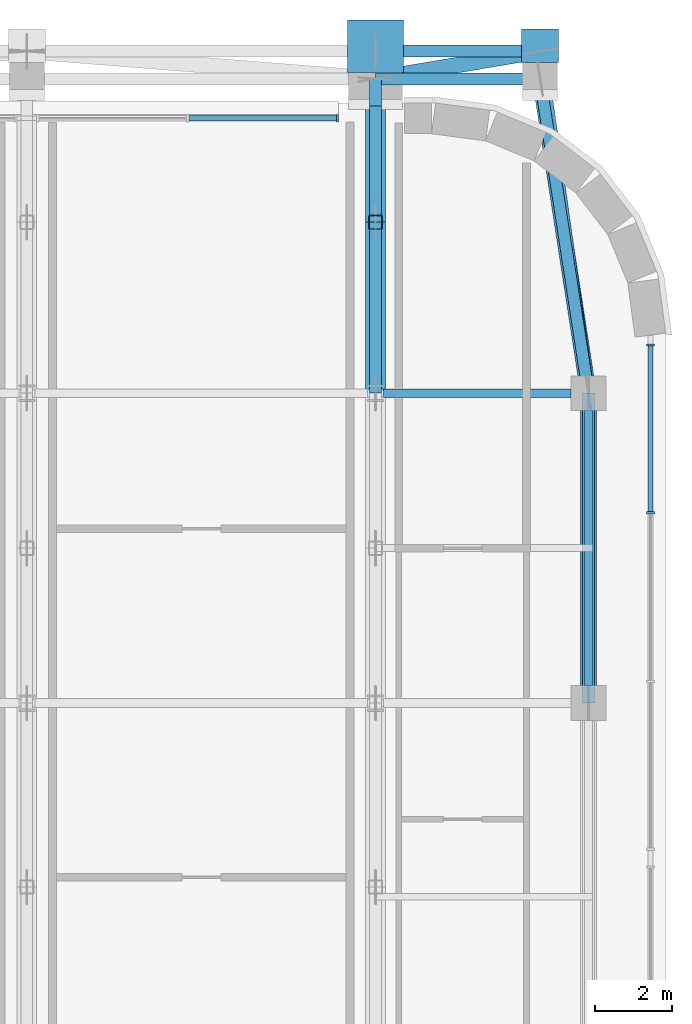
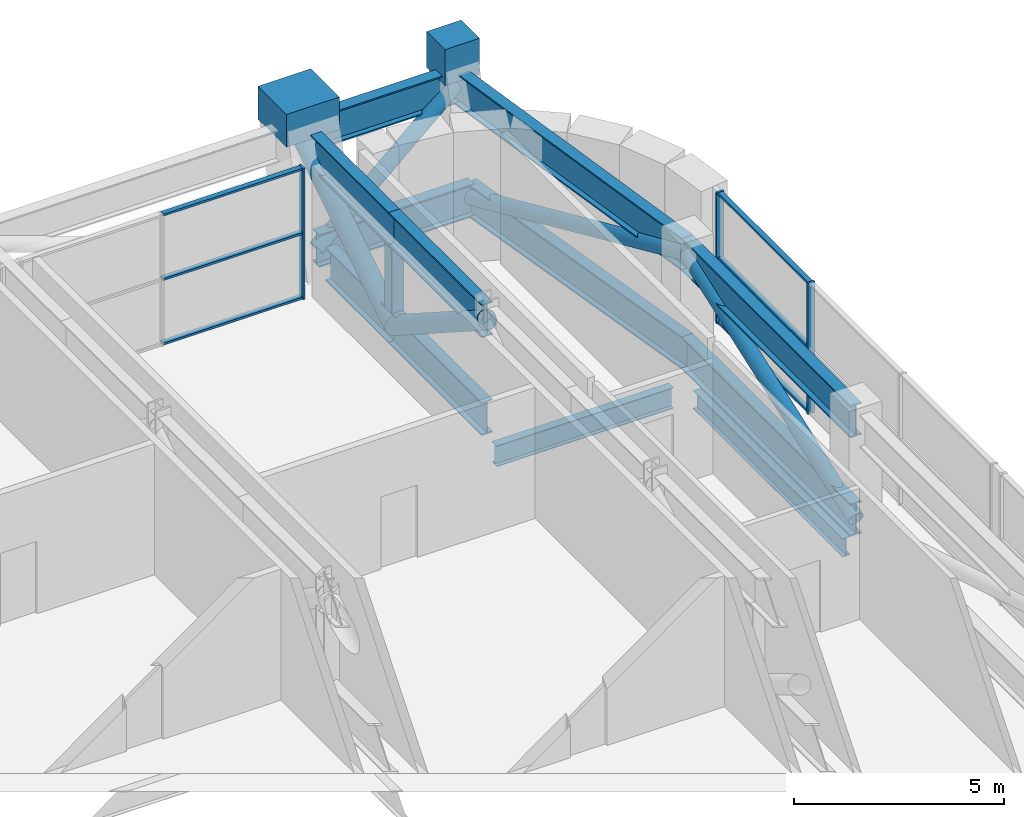
# One storey, part 12 of 26: 25 members, 4 beams, 2 elements without a shape of their own.
"""IFC4 building model written with IfcOpenShell, lengths in metres."""

from ifc_helpers import new_model, si_unit, direction, frame, origin, origin_2d, place, context, subcontext, project, spatial, rectangle, hollow_rectangle, hollow_circle, i_section, extrude, material, material_profile, profile_set, type_object, element, aggregate, save


model = new_model("IFC4")

# Units and contexts
model_context = context("Model", 3, precision=1e-05, world=origin(), true_north=direction((0.0, 1.0)))
body_context = subcontext(model_context, "Body", "Model", "MODEL_VIEW")
ifc_project = project(units=[si_unit("LENGTHUNIT", "METRE"), si_unit("AREAUNIT", "SQUARE_METRE"), si_unit("VOLUMEUNIT", "CUBIC_METRE"), si_unit("PLANEANGLEUNIT", "RADIAN"), si_unit("MASSUNIT", "GRAM", prefix="KILO")], contexts=[model_context])

# Site, building, storey
site_placement = place(None, origin())
site = spatial("IfcSite", under=ifc_project, at=site_placement, CompositionType="ELEMENT")
building_placement = place(site_placement, origin())
building = spatial("IfcBuilding", under=site, at=building_placement, Name="Zellij Exchange Tower", CompositionType="ELEMENT")
storey_placement = place(building_placement, frame((0.0, 0.0, 216.5)))
storey = spatial("IfcBuildingStorey", under=building, at=storey_placement, Name="L50", CompositionType="ELEMENT", Elevation=216.5)

# Curtain wall, members
ifc_material_1 = material(Name="Aluminium frame, clear insulating glass", Category="aluminium")
curtain_wall_type = type_object("IfcCurtainWallType", Name="ENV-CW2 Outrigger-storey glazing", PredefinedType="NOTDEFINED", material=ifc_material_1)
curtain_wall_1_placement = place(storey_placement, origin())
curtain_wall_1 = element("IfcCurtainWall", 1, at=curtain_wall_1_placement, inside=storey, type_object=curtain_wall_type, Name="cw.L50.07b", PredefinedType="NOTDEFINED")
ifc_material_2 = material(Name="Aluminium", Category="aluminium")
ifc_material_profile_1 = material_profile(ifc_material_2, rectangle(XDim=0.06005859375, YDim=0.199951171875, at=origin_2d()), Name="AL 60x200")
ifc_profile_set_1 = profile_set([ifc_material_profile_1], Name="Aluminium")
member_type_1 = type_object("IfcMemberType", Name="ENV-CW2M Mullion 60x200", PredefinedType="MULLION", material=ifc_profile_set_1)
member_1_placement = place(storey_placement, frame((34.10009765625, 18.91455078125, 0.0), z_axis=(0.0, 0.0, 1.0), x_axis=(0.0, 1.0, 0.0)))
member_1 = element("IfcMember", 2, at=member_1_placement, type_object=member_type_1, Name="CW2 mullion 3", PredefinedType="MULLION", context=body_context, shape_type="SweptSolid", body=[
    extrude(rectangle(XDim=0.06005859375, YDim=0.199951171875, at=origin_2d()), origin(), (0.0, 0.0, 1.0), 3.800048828125),
])
member_2_placement = place(storey_placement, frame((34.10009765625, 23.243896484375, 0.0), z_axis=(0.0, 0.0, 1.0), x_axis=(0.0, 1.0, 0.0)))
member_2 = element("IfcMember", 3, at=member_2_placement, type_object=member_type_1, Name="CW2 mullion 4", PredefinedType="MULLION", context=body_context, shape_type="SweptSolid", body=[
    extrude(rectangle(XDim=0.06005859375, YDim=0.199951171875, at=origin_2d()), origin(), (0.0, 0.0, 1.0), 3.800048828125),
])

# Curtain wall, member
curtain_wall_2_placement = place(storey_placement, origin())
curtain_wall_2 = element("IfcCurtainWall", 4, at=curtain_wall_2_placement, inside=storey, type_object=curtain_wall_type, Name="cw.L50.14b.a", PredefinedType="NOTDEFINED")
member_3_placement = place(storey_placement, frame((26.02001953125, 29.10009765625, 0.0), z_axis=(0.0, 0.0, 1.0), x_axis=(-1.0, 0.0, 0.0)))
member_3 = element("IfcMember", 5, at=member_3_placement, type_object=member_type_1, Name="CW2 mullion 1", PredefinedType="MULLION", context=body_context, shape_type="SweptSolid", body=[
    extrude(rectangle(XDim=0.06005859375, YDim=0.199951171875, at=origin_2d()), origin(), (0.0, 0.0, 1.0), 3.800048828125),
])

# Member
ifc_material_profile_2 = material_profile(ifc_material_2, rectangle(XDim=0.139892578125, YDim=0.06005859375, at=origin_2d()), Name="AL 140x60")
ifc_profile_set_2 = profile_set([ifc_material_profile_2], Name="Aluminium")
member_type_2 = type_object("IfcMemberType", Name="ENV-CW2T Transom 140x60", PredefinedType="USERDEFINED", material=ifc_profile_set_2)
member_4_placement = place(storey_placement, frame((34.10009765625, 18.944580078125, 0.030029296875), z_axis=(0.0, 1.0, 0.0), x_axis=(-1.0, 0.0, 0.0)))
member_4 = element("IfcMember", 6, at=member_4_placement, type_object=member_type_2, Name="CW2 transom 3.1", ObjectType="TRANSOM", PredefinedType="USERDEFINED", context=body_context, shape_type="SweptSolid", body=[
    extrude(rectangle(XDim=0.139892578125, YDim=0.06005859375, at=origin_2d()), origin(), (0.0, 0.0, 1.0), 4.269287109375),
])

member_5_placement = place(storey_placement, frame((34.10009765625, 18.944580078125, 1.89990234375), z_axis=(0.0, 1.0, 0.0), x_axis=(-1.0, 0.0, 0.0)))
member_5 = element("IfcMember", 7, at=member_5_placement, type_object=member_type_2, Name="CW2 transom 3.2", ObjectType="TRANSOM", PredefinedType="USERDEFINED", context=body_context, shape_type="SweptSolid", body=[
    extrude(rectangle(XDim=0.139892578125, YDim=0.06005859375, at=origin_2d()), origin(), (0.0, 0.0, 1.0), 4.269287109375),
])

member_6_placement = place(storey_placement, frame((34.10009765625, 18.944580078125, 3.77001953125), z_axis=(0.0, 1.0, 0.0), x_axis=(-1.0, 0.0, 0.0)))
member_6 = element("IfcMember", 8, at=member_6_placement, type_object=member_type_2, Name="CW2 transom 3.3", ObjectType="TRANSOM", PredefinedType="USERDEFINED", context=body_context, shape_type="SweptSolid", body=[
    extrude(rectangle(XDim=0.139892578125, YDim=0.06005859375, at=origin_2d()), origin(), (0.0, 0.0, 1.0), 4.269287109375),
])

aggregate(curtain_wall_1, [member_1, member_2, member_4, member_5, member_6])

member_7_placement = place(storey_placement, frame((25.989990234375, 29.10009765625, 0.030029296875), z_axis=(-1.0, 0.0, 0.0), x_axis=(0.0, -1.0, 0.0)))
member_7 = element("IfcMember", 9, at=member_7_placement, type_object=member_type_2, Name="CW2 transom 1.1", ObjectType="TRANSOM", PredefinedType="USERDEFINED", context=body_context, shape_type="SweptSolid", body=[
    extrude(rectangle(XDim=0.139892578125, YDim=0.06005859375, at=origin_2d()), origin(), (0.0, 0.0, 1.0), 3.81005859375),
])

member_8_placement = place(storey_placement, frame((25.989990234375, 29.10009765625, 1.89990234375), z_axis=(-1.0, 0.0, 0.0), x_axis=(0.0, -1.0, 0.0)))
member_8 = element("IfcMember", 10, at=member_8_placement, type_object=member_type_2, Name="CW2 transom 1.2", ObjectType="TRANSOM", PredefinedType="USERDEFINED", context=body_context, shape_type="SweptSolid", body=[
    extrude(rectangle(XDim=0.139892578125, YDim=0.06005859375, at=origin_2d()), origin(), (0.0, 0.0, 1.0), 3.81005859375),
])

member_9_placement = place(storey_placement, frame((25.989990234375, 29.10009765625, 3.77001953125), z_axis=(-1.0, 0.0, 0.0), x_axis=(0.0, -1.0, 0.0)))
member_9 = element("IfcMember", 11, at=member_9_placement, type_object=member_type_2, Name="CW2 transom 1.3", ObjectType="TRANSOM", PredefinedType="USERDEFINED", context=body_context, shape_type="SweptSolid", body=[
    extrude(rectangle(XDim=0.139892578125, YDim=0.06005859375, at=origin_2d()), origin(), (0.0, 0.0, 1.0), 3.81005859375),
])

aggregate(curtain_wall_2, [member_3, member_7, member_8, member_9])

# Members
ifc_material_3 = material(Name="Structural steel ASTM A992 Gr 50", Category="steel")
ifc_material_profile_3 = material_profile(ifc_material_3, i_section(OverallWidth=0.307373046875, OverallDepth=0.9423828125, WebThickness=0.022216796875, FlangeThickness=0.039794921875, at=origin_2d()), Name="W36x232")
ifc_profile_set_3 = profile_set([ifc_material_profile_3], Name="Structural steel ASTM A992 Gr 50")
member_type_3 = type_object("IfcMemberType", Name="STR-BELT TRUSS CHORD W36x232", PredefinedType="CHORD", material=ifc_profile_set_3)
for number, where, z_axis, x_axis, name in (
    (12, (32.5, 14.0, 0.47119140625), (0.0, 1.0, 0.0), (-1.0, 0.0, 0.0), "BT1"),
    (13, (32.5, 14.0, 3.328857421875), (0.0, 1.0, 0.0), (-1.0, 0.0, 0.0), "BT1"),
):
    element("IfcMember", number, at=place(storey_placement, frame(where, z_axis=z_axis, x_axis=x_axis)), inside=storey, type_object=member_type_3, Name=name, PredefinedType="CHORD", context=body_context, shape_type="SweptSolid", body=[
        extrude(i_section(OverallWidth=0.307373046875, OverallDepth=0.9423828125, WebThickness=0.022216796875, FlangeThickness=0.039794921875, at=origin_2d()), origin(), (0.0, 0.0, 1.0), 8.0),
    ])
member_10_placement = place(storey_placement, frame((32.5, 22.0, 0.47119140625), z_axis=(-0.152186731353, 0.988351758637, 0.0), x_axis=(-0.988351758637, -0.152186731353, 0.0)))
element("IfcMember", 14, at=member_10_placement, inside=storey, type_object=member_type_3, Name="BT1", PredefinedType="CHORD", context=body_context, shape_type="SweptSolid", body=[
    extrude(i_section(OverallWidth=0.307373046875, OverallDepth=0.9423828125, WebThickness=0.022216796875, FlangeThickness=0.039794921875, at=origin_2d()), origin(), (0.0, 0.0, 1.0), 8.213623046875),
])
member_11_placement = place(storey_placement, frame((32.5, 22.0, 3.328857421875), z_axis=(-0.14012996024, 0.990133119456, 0.0), x_axis=(-0.990133119456, -0.14012996024, 0.0)))
element("IfcMember", 15, at=member_11_placement, inside=storey, type_object=member_type_3, Name="BT1", PredefinedType="CHORD", context=body_context, shape_type="SweptSolid", body=[
    extrude(i_section(OverallWidth=0.307373046875, OverallDepth=0.9423828125, WebThickness=0.022216796875, FlangeThickness=0.039794921875, at=origin_2d()), origin(), (0.0, 0.0, 1.0), 8.92041015625),
])
for number, where, z_axis, x_axis, name in (
    (16, (27.0, 30.117919921875, 0.47119140625), (1.0, 0.0, 0.0), (0.0, 1.0, 0.0), "BT1"),
    (17, (27.0, 30.832275390625, 3.328857421875), (1.0, 0.0, 0.0), (0.0, 1.0, 0.0), "BT1"),
):
    element("IfcMember", number, at=place(storey_placement, frame(where, z_axis=z_axis, x_axis=x_axis)), inside=storey, type_object=member_type_3, Name=name, PredefinedType="CHORD", context=body_context, shape_type="SweptSolid", body=[
        extrude(i_section(OverallWidth=0.307373046875, OverallDepth=0.9423828125, WebThickness=0.022216796875, FlangeThickness=0.039794921875, at=origin_2d()), origin(), (0.0, 0.0, 1.0), 4.25),
    ])
ifc_material_4 = material(Name="Structural steel ASTM A500 Gr C", Category="steel")
ifc_material_profile_4 = material_profile(ifc_material_4, hollow_circle(Radius=0.203125, WallThickness=0.01171875, at=origin_2d()), Name="STR-BELT TRUSS DIAGONAL HSS16.000x0.500")
ifc_profile_set_4 = profile_set([ifc_material_profile_4], Name="Structural steel ASTM A500 Gr C")
member_type_4 = type_object("IfcMemberType", Name="STR-BELT TRUSS DIAGONAL HSS16.000x0.500", PredefinedType="BRACE", material=ifc_profile_set_4)
member_12_placement = place(storey_placement, frame((32.5, 14.0, 0.47119140625), z_axis=(0.0, 0.941722403843, 0.336391013702), x_axis=(-1.0, 0.0, 0.0)))
element("IfcMember", 18, at=member_12_placement, inside=storey, type_object=member_type_4, Name="BT2", PredefinedType="BRACE", context=body_context, shape_type="SweptSolid", body=[
    extrude(hollow_circle(Radius=0.203125, WallThickness=0.01171875, at=origin_2d()), origin(), (0.0, 0.0, 1.0), 8.4951171875),
])
member_13_placement = place(storey_placement, frame((32.5, 22.0, 3.328857421875), z_axis=(-0.143735732339, 0.933468132031, -0.328598974028), x_axis=(-0.988351758637, -0.152186731353, 0.0)))
element("IfcMember", 19, at=member_13_placement, inside=storey, type_object=member_type_4, Name="BT2", PredefinedType="BRACE", context=body_context, shape_type="SweptSolid", body=[
    extrude(hollow_circle(Radius=0.203125, WallThickness=0.01171875, at=origin_2d()), origin(), (0.0, 0.0, 1.0), 8.696533203125),
])
member_14_placement = place(storey_placement, frame((27.0, 30.117919921875, 0.47119140625), z_axis=(0.821894117254, 0.138146954681, 0.55263503231), x_axis=(-0.165758435529, 0.986166386089, 0.0)))
element("IfcMember", 20, at=member_14_placement, inside=storey, type_object=member_type_4, Name="BT2", PredefinedType="BRACE", context=body_context, shape_type="SweptSolid", body=[
    extrude(hollow_circle(Radius=0.203125, WallThickness=0.01171875, at=origin_2d()), origin(), (0.0, 0.0, 1.0), 5.1708984375),
])

# Beams
ifc_material_profile_5 = material_profile(ifc_material_3, i_section(OverallWidth=0.209228515625, OverallDepth=0.533447265625, WebThickness=0.01025390625, FlangeThickness=0.015625, at=origin_2d()), Name="W21x62")
ifc_profile_set_5 = profile_set([ifc_material_profile_5], Name="Structural steel ASTM A992 Gr 50")
beam_type_1 = type_object("IfcBeamType", Name="STR-EDGE GIRDER W21x62", PredefinedType="BEAM", material=ifc_profile_set_5)
beam_1_placement = place(storey_placement, frame((32.5, 14.449951171875, -0.61669921875), z_axis=(0.0, 1.0, 0.0), x_axis=(-1.0, 0.0, 0.0)))
element("IfcBeam", 21, at=beam_1_placement, inside=storey, type_object=beam_type_1, Name="EB3", PredefinedType="BEAM", context=body_context, shape_type="SweptSolid", body=[
    extrude(i_section(OverallWidth=0.209228515625, OverallDepth=0.533447265625, WebThickness=0.01025390625, FlangeThickness=0.015625, at=origin_2d()), origin(), (0.0, 0.0, 1.0), 7.10009765625),
])
ifc_material_profile_6 = material_profile(ifc_material_3, i_section(OverallWidth=0.228271484375, OverallDepth=0.607177734375, WebThickness=0.01123046875, FlangeThickness=0.017333984375, at=origin_2d()), Name="W24x76")
ifc_profile_set_6 = profile_set([ifc_material_profile_6], Name="Structural steel ASTM A992 Gr 50")
beam_type_2 = type_object("IfcBeamType", Name="STR-GIRDER W24x76", PredefinedType="BEAM", material=ifc_profile_set_6)
beam_2_placement = place(storey_placement, frame((27.20458984375, 22.0, -0.653564453125), z_axis=(1.0, 0.0, 0.0), x_axis=(0.0, 1.0, 0.0)))
element("IfcBeam", 22, at=beam_2_placement, inside=storey, type_object=beam_type_2, Name="G2", PredefinedType="BEAM", context=body_context, shape_type="SweptSolid", body=[
    extrude(i_section(OverallWidth=0.228271484375, OverallDepth=0.607177734375, WebThickness=0.01123046875, FlangeThickness=0.017333984375, at=origin_2d()), origin(), (0.0, 0.0, 1.0), 4.845458984375),
])
ifc_material_5 = material(Name="Concrete C60/75", Category="concrete")
ifc_material_profile_7 = material_profile(ifc_material_5, rectangle(XDim=1.449951171875, YDim=0.949951171875, at=origin_2d()), Name="STR-KNUCKLE BLOCK RC1450x950 C60/75")
ifc_profile_set_7 = profile_set([ifc_material_profile_7], Name="Concrete C60/75")
beam_type_3 = type_object("IfcBeamType", Name="STR-KNUCKLE BLOCK RC1450x950 C60/75", PredefinedType="BEAM", material=ifc_profile_set_7)
beam_3_placement = place(storey_placement, frame((27.0, 30.278564453125, 4.02490234375), z_axis=(0.0, 1.0, 0.0), x_axis=(-1.0, 0.0, 0.0)))
element("IfcBeam", 23, at=beam_3_placement, inside=storey, type_object=beam_type_3, Name="KB7", PredefinedType="BEAM", context=body_context, shape_type="SweptSolid", body=[
    extrude(rectangle(XDim=1.449951171875, YDim=0.949951171875, at=origin_2d()), origin(), (0.0, 0.0, 1.0), 1.358154296875),
])
ifc_material_profile_8 = material_profile(ifc_material_5, rectangle(XDim=0.949951171875, YDim=1.050048828125, at=origin_2d()), Name="STR-KNUCKLE BLOCK RC950x1050 C60/75")
ifc_profile_set_8 = profile_set([ifc_material_profile_8], Name="Concrete C60/75")
beam_type_4 = type_object("IfcBeamType", Name="STR-KNUCKLE BLOCK RC950x1050 C60/75", PredefinedType="BEAM", material=ifc_profile_set_8)
beam_4_placement = place(storey_placement, frame((31.25, 30.5361328125, 4.125), z_axis=(0.0, 1.0, 0.0), x_axis=(-1.0, 0.0, 0.0)))
element("IfcBeam", 24, at=beam_4_placement, inside=storey, type_object=beam_type_4, Name="KB2", PredefinedType="BEAM", context=body_context, shape_type="SweptSolid", body=[
    extrude(rectangle(XDim=0.949951171875, YDim=1.050048828125, at=origin_2d()), origin(), (0.0, 0.0, 1.0), 0.873046875),
])

# Members
ifc_material_6 = material(Name="Structural steel ASTM A913 Gr 65", Category="steel")
ifc_material_profile_9 = material_profile(ifc_material_6, i_section(OverallWidth=0.2998046875, OverallDepth=0.965087890625, WebThickness=0.01904296875, FlangeThickness=0.0361328125, at=origin_2d()), Name="W40x249")
ifc_profile_set_9 = profile_set([ifc_material_profile_9], Name="Structural steel ASTM A913 Gr 65")
member_type_5 = type_object("IfcMemberType", Name="STR-OUTRIGGER TRUSS CHORD W40x249", PredefinedType="CHORD", material=ifc_profile_set_9)
for number, where, z_axis, x_axis, name in (
    (25, (27.0, 22.0, 3.3173828125), (0.0, 1.0, 0.0), (-1.0, 0.0, 0.0), "OT1"),
    (26, (27.0, 22.0, 0.482666015625), (0.0, 1.0, 0.0), (-1.0, 0.0, 0.0), "OT1"),
):
    element("IfcMember", number, at=place(storey_placement, frame(where, z_axis=z_axis, x_axis=x_axis)), inside=storey, type_object=member_type_5, Name=name, PredefinedType="CHORD", context=body_context, shape_type="SweptSolid", body=[
        extrude(i_section(OverallWidth=0.2998046875, OverallDepth=0.965087890625, WebThickness=0.01904296875, FlangeThickness=0.0361328125, at=origin_2d()), origin(), (0.0, 0.0, 1.0), 4.4150390625),
    ])
member_15_placement = place(storey_placement, frame((27.0, 26.4150390625, 3.3173828125), z_axis=(0.0, 1.0, 0.0), x_axis=(-1.0, 0.0, 0.0)))
element("IfcMember", 27, at=member_15_placement, inside=storey, type_object=member_type_5, Name="OT1", PredefinedType="CHORD", context=body_context, shape_type="SweptSolid", body=[
    extrude(i_section(OverallWidth=0.2998046875, OverallDepth=0.965087890625, WebThickness=0.01904296875, FlangeThickness=0.0361328125, at=origin_2d()), origin(), (0.0, 0.0, 1.0), 3.71435546875),
])
member_16_placement = place(storey_placement, frame((27.0, 26.4150390625, 0.482666015625), z_axis=(0.0, 1.0, 0.0), x_axis=(-1.0, 0.0, 0.0)))
element("IfcMember", 28, at=member_16_placement, inside=storey, type_object=member_type_5, Name="OT1", PredefinedType="CHORD", context=body_context, shape_type="SweptSolid", body=[
    extrude(i_section(OverallWidth=0.2998046875, OverallDepth=0.965087890625, WebThickness=0.01904296875, FlangeThickness=0.0361328125, at=origin_2d()), origin(), (0.0, 0.0, 1.0), 3.005615234375),
])
ifc_material_profile_10 = material_profile(ifc_material_4, hollow_circle(Radius=0.25390625, WallThickness=0.01171875, at=origin_2d()), Name="STR-OUTRIGGER TRUSS DIAGONAL HSS20.000x0.500")
ifc_profile_set_10 = profile_set([ifc_material_profile_10], Name="Structural steel ASTM A500 Gr C")
member_type_6 = type_object("IfcMemberType", Name="STR-OUTRIGGER TRUSS DIAGONAL HSS20.000x0.500", PredefinedType="BRACE", material=ifc_profile_set_10)
member_17_placement = place(storey_placement, frame((27.0, 22.0, 3.3173828125), z_axis=(0.0, 0.841483738631, -0.540282442449), x_axis=(-1.0, 0.0, 0.0)))
element("IfcMember", 29, at=member_17_placement, inside=storey, type_object=member_type_6, Name="OT2", PredefinedType="BRACE", context=body_context, shape_type="SweptSolid", body=[
    extrude(hollow_circle(Radius=0.25390625, WallThickness=0.01171875, at=origin_2d()), origin(), (0.0, 0.0, 1.0), 5.246826171875),
])
member_18_placement = place(storey_placement, frame((27.0, 26.4150390625, 0.482666015625), z_axis=(0.0, 0.84144298271, 0.540345914067), x_axis=(-1.0, 0.0, 0.0)))
element("IfcMember", 30, at=member_18_placement, inside=storey, type_object=member_type_6, Name="OT2", PredefinedType="BRACE", context=body_context, shape_type="SweptSolid", body=[
    extrude(hollow_circle(Radius=0.25390625, WallThickness=0.01171875, at=origin_2d()), origin(), (0.0, 0.0, 1.0), 5.24609375),
])
ifc_material_profile_11 = material_profile(ifc_material_4, hollow_rectangle(XDim=0.355712890625, YDim=0.355712890625, WallThickness=0.01171875, InnerFilletRadius=0.01171875, OuterFilletRadius=0.023681640625, at=origin_2d()), Name="STR-OUTRIGGER TRUSS POST HSS14x14x1/2")
ifc_profile_set_11 = profile_set([ifc_material_profile_11], Name="Structural steel ASTM A500 Gr C")
member_type_7 = type_object("IfcMemberType", Name="STR-OUTRIGGER TRUSS POST HSS14x14x1/2", PredefinedType="POST", material=ifc_profile_set_11)
member_19_placement = place(storey_placement, frame((27.0, 26.4150390625, 0.965087890625), z_axis=(0.0, 0.0, 1.0), x_axis=(1.0, 0.0, 0.0)))
element("IfcMember", 31, at=member_19_placement, inside=storey, type_object=member_type_7, Name="OT3", PredefinedType="POST", context=body_context, shape_type="SweptSolid", body=[
    extrude(hollow_rectangle(XDim=0.355712890625, YDim=0.355712890625, WallThickness=0.01171875, InnerFilletRadius=0.01171875, OuterFilletRadius=0.023681640625, at=origin_2d()), origin(), (0.0, 0.0, 1.0), 1.86962890625),
])

save(model, "model.ifc")
